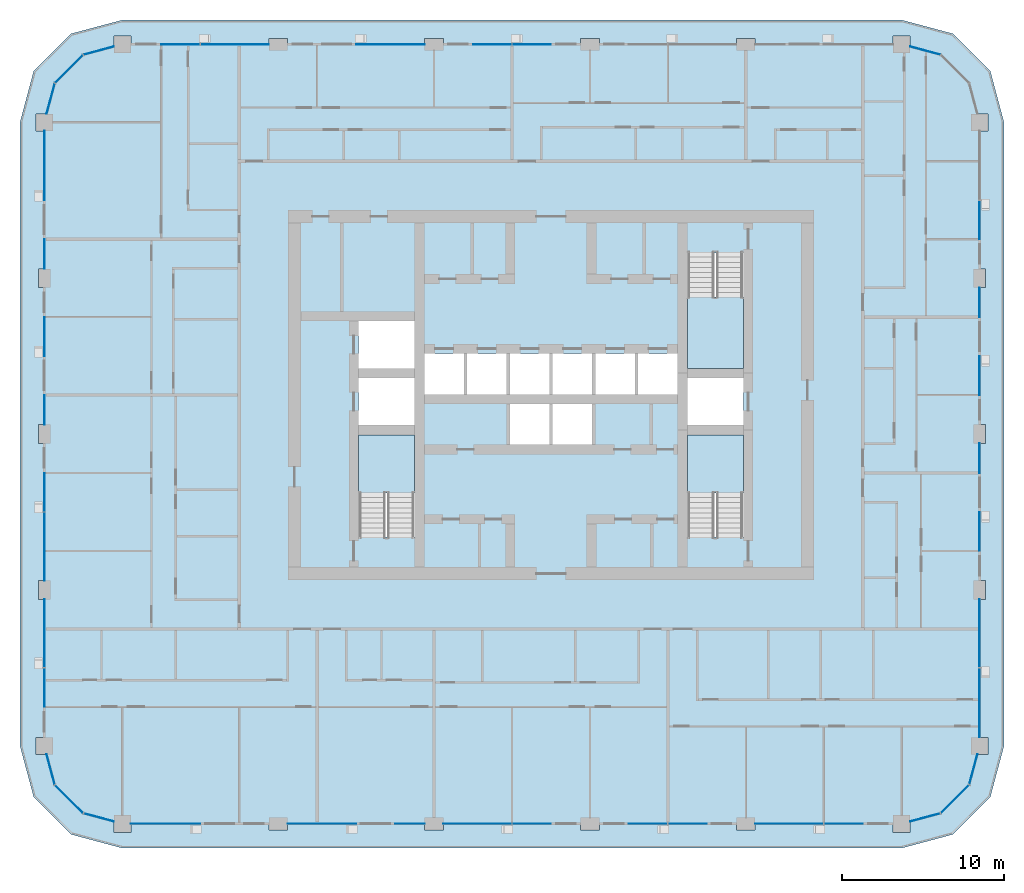
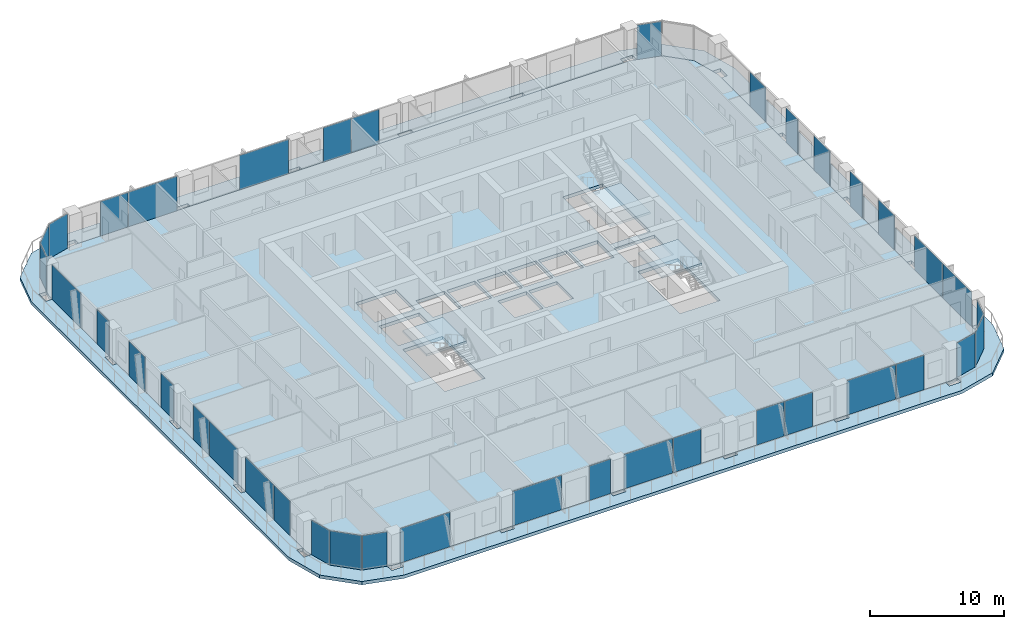
# One storey, part 7 of 22: 39 plates, 5 slabs, 23 elements without a shape of their own.
"""IFC4 building model written with IfcOpenShell, lengths in metres."""

from ifc_helpers import new_model, si_unit, direction, frame, origin, origin_2d, place, context, subcontext, project, spatial, polyline, rectangle, outline, extrude, material, layer, layer_set, type_object, element, aggregate, save


model = new_model("IFC4")

# Units and contexts
model_context = context("Model", 3, precision=1e-05, world=origin(), true_north=direction((0.0, 1.0)))
body_context = subcontext(model_context, "Body", "Model", "MODEL_VIEW")
ifc_project = project(units=[si_unit("LENGTHUNIT", "METRE"), si_unit("AREAUNIT", "SQUARE_METRE"), si_unit("VOLUMEUNIT", "CUBIC_METRE"), si_unit("PLANEANGLEUNIT", "RADIAN"), si_unit("MASSUNIT", "GRAM", prefix="KILO")], contexts=[model_context])

# Site, building, storey
site_placement = place(None, origin())
site = spatial("IfcSite", under=ifc_project, at=site_placement, CompositionType="ELEMENT")
building_placement = place(site_placement, origin())
building = spatial("IfcBuilding", under=site, at=building_placement, Name="Madar Terraces", CompositionType="ELEMENT")
storey_placement = place(building_placement, frame((0.0, 0.0, 159.5)))
storey = spatial("IfcBuildingStorey", under=building, at=storey_placement, Name="L41", CompositionType="ELEMENT", Elevation=159.5)

# Slabs
ifc_material_1 = material(Name="Concrete C50/60", Category="concrete")
ifc_layer_1 = layer(ifc_material_1, 0.300048828125)
ifc_layer_set_1 = layer_set([ifc_layer_1], Name="Balcony band 300")
slab_type_1 = type_object("IfcSlabType", Name="Balcony band 300", PredefinedType="FLOOR", material=ifc_layer_set_1)
slab_1_placement = place(storey_placement, frame((0.0, 0.0, -0.300048828125)))
element("IfcSlab", 1, at=slab_1_placement, inside=storey, type_object=slab_type_1, Name="Balcony band", PredefinedType="FLOOR", context=body_context, shape_type="SweptSolid", body=[
    extrude(outline(polyline([(4.800048828125, -1.5), (1.64990234375, -0.656005859375), (-0.656005859375, 1.64990234375), (-1.5, 4.800048828125), (-1.5, 43.199951171875), (-0.656005859375, 46.35009765625), (1.64990234375, 48.656005859375), (4.800048828125, 49.5), (52.800048828125, 49.5), (55.949951171875, 48.656005859375), (58.256103515625, 46.35009765625), (59.10009765625, 43.199951171875), (59.10009765625, 4.800048828125), (58.256103515625, 1.64990234375), (55.949951171875, -0.656005859375), (52.800048828125, -1.5), (4.800048828125, -1.5)]), holes=[polyline([(5.324951171875, -0.52490234375), (5.324951171875, 0.0), (13.824951171875, 0.0), (13.824951171875, -0.375), (14.97509765625, -0.375), (14.97509765625, 0.0), (23.425048828125, 0.0), (23.425048828125, -0.375), (24.574951171875, -0.375), (24.574951171875, 0.0), (33.02490234375, 0.0), (33.02490234375, -0.375), (34.175048828125, -0.375), (34.175048828125, 0.0), (42.625, 0.0), (42.625, -0.375), (43.77490234375, -0.375), (43.77490234375, 0.0), (52.27490234375, 0.0), (52.27490234375, -0.52490234375), (53.324951171875, -0.52490234375), (53.324951171875, 0.140625), (55.199951171875, 0.64306640625), (56.956787109375, 2.39990234375), (57.459228515625, 4.27490234375), (58.125, 4.27490234375), (58.125, 5.324951171875), (57.60009765625, 5.324951171875), (57.60009765625, 13.824951171875), (57.97509765625, 13.824951171875), (57.97509765625, 14.97509765625), (57.60009765625, 14.97509765625), (57.60009765625, 23.425048828125), (57.97509765625, 23.425048828125), (57.97509765625, 24.574951171875), (57.60009765625, 24.574951171875), (57.60009765625, 33.02490234375), (57.97509765625, 33.02490234375), (57.97509765625, 34.175048828125), (57.60009765625, 34.175048828125), (57.60009765625, 42.675048828125), (58.125, 42.675048828125), (58.125, 43.72509765625), (57.459228515625, 43.72509765625), (56.956787109375, 45.60009765625), (55.199951171875, 47.35693359375), (53.324951171875, 47.859375), (53.324951171875, 48.52490234375), (52.27490234375, 48.52490234375), (52.27490234375, 48.0), (43.77490234375, 48.0), (43.77490234375, 48.375), (42.625, 48.375), (42.625, 48.0), (34.175048828125, 48.0), (34.175048828125, 48.375), (33.02490234375, 48.375), (33.02490234375, 48.0), (24.574951171875, 48.0), (24.574951171875, 48.375), (23.425048828125, 48.375), (23.425048828125, 48.0), (14.97509765625, 48.0), (14.97509765625, 48.375), (13.824951171875, 48.375), (13.824951171875, 48.0), (5.324951171875, 48.0), (5.324951171875, 48.52490234375), (4.27490234375, 48.52490234375), (4.27490234375, 47.859375), (2.39990234375, 47.35693359375), (0.64306640625, 45.60009765625), (0.140625, 43.72509765625), (-0.52490234375, 43.72509765625), (-0.52490234375, 42.675048828125), (0.0, 42.675048828125), (0.0, 34.175048828125), (-0.375, 34.175048828125), (-0.375, 33.02490234375), (0.0, 33.02490234375), (0.0, 24.574951171875), (-0.375, 24.574951171875), (-0.375, 23.425048828125), (0.0, 23.425048828125), (0.0, 14.97509765625), (-0.375, 14.97509765625), (-0.375, 13.824951171875), (0.0, 13.824951171875), (0.0, 5.324951171875), (-0.52490234375, 5.324951171875), (-0.52490234375, 4.27490234375), (0.140625, 4.27490234375), (0.64306640625, 2.39990234375), (2.39990234375, 0.64306640625), (4.27490234375, 0.140625), (4.27490234375, -0.52490234375), (5.324951171875, -0.52490234375)])]), origin(), (0.0, 0.0, 1.0), 0.300048828125),
])
ifc_material_2 = material(Name="Concrete C50/60", Category="concrete")
ifc_layer_2 = layer(ifc_material_2, 0.300048828125)
ifc_layer_set_2 = layer_set([ifc_layer_2], Name="FS2 PT flat slab 300")
slab_type_2 = type_object("IfcSlabType", Name="FS2 PT flat slab 300", PredefinedType="FLOOR", material=ifc_layer_set_2)
slab_2_placement = place(storey_placement, frame((0.0, 0.0, -0.300048828125)))
element("IfcSlab", 2, at=slab_2_placement, inside=storey, type_object=slab_type_2, Name="Floor slab L41 (1)", PredefinedType="FLOOR", context=body_context, shape_type="SweptSolid", body=[
    extrude(outline(polyline([(52.800048828125, 0.0), (55.199951171875, 0.64306640625), (56.95703125, 2.39990234375), (57.60009765625, 4.800048828125), (57.60009765625, 43.199951171875), (56.95703125, 45.60009765625), (55.199951171875, 47.35693359375), (52.800048828125, 48.0), (4.800048828125, 48.0), (2.39990234375, 47.35693359375), (0.64306640625, 45.60009765625), (0.0, 43.199951171875), (0.0, 4.800048828125), (0.64306640625, 2.39990234375), (2.39990234375, 0.64306640625), (4.800048828125, 0.0), (52.800048828125, 0.0)]), holes=[polyline([(22.800048828125, 17.64990234375), (19.35009765625, 17.64990234375), (19.35009765625, 23.949951171875), (22.800048828125, 23.949951171875), (22.800048828125, 17.64990234375)]), polyline([(28.666748046875, 23.35009765625), (28.666748046875, 25.85009765625), (31.10009765625, 25.85009765625), (31.10009765625, 23.35009765625), (28.666748046875, 23.35009765625)]), polyline([(19.35009765625, 24.550048828125), (19.35009765625, 27.449951171875), (22.800048828125, 27.449951171875), (22.800048828125, 24.550048828125), (19.35009765625, 24.550048828125)]), polyline([(23.39990234375, 26.449951171875), (23.39990234375, 28.949951171875), (25.833251953125, 28.949951171875), (25.833251953125, 26.449951171875), (23.39990234375, 26.449951171875)]), polyline([(26.033447265625, 26.449951171875), (26.033447265625, 28.949951171875), (28.466552734375, 28.949951171875), (28.466552734375, 26.449951171875), (26.033447265625, 26.449951171875)]), polyline([(28.666748046875, 26.449951171875), (28.666748046875, 28.949951171875), (31.10009765625, 28.949951171875), (31.10009765625, 26.449951171875), (28.666748046875, 26.449951171875)]), polyline([(19.35009765625, 28.050048828125), (19.35009765625, 30.949951171875), (22.800048828125, 30.949951171875), (22.800048828125, 28.050048828125), (19.35009765625, 28.050048828125)]), polyline([(43.050048828125, 17.64990234375), (39.60009765625, 17.64990234375), (39.60009765625, 23.949951171875), (43.050048828125, 23.949951171875), (43.050048828125, 17.64990234375)]), polyline([(31.300048828125, 23.35009765625), (31.300048828125, 25.85009765625), (33.7333984375, 25.85009765625), (33.7333984375, 23.35009765625), (31.300048828125, 23.35009765625)]), polyline([(39.60009765625, 24.550048828125), (39.60009765625, 27.449951171875), (43.050048828125, 27.449951171875), (43.050048828125, 24.550048828125), (39.60009765625, 24.550048828125)]), polyline([(31.300048828125, 26.449951171875), (31.300048828125, 28.949951171875), (33.7333984375, 28.949951171875), (33.7333984375, 26.449951171875), (31.300048828125, 26.449951171875)]), polyline([(33.933349609375, 26.449951171875), (33.933349609375, 28.949951171875), (36.36669921875, 28.949951171875), (36.36669921875, 26.449951171875), (33.933349609375, 26.449951171875)]), polyline([(36.566650390625, 26.449951171875), (36.566650390625, 28.949951171875), (39.0, 28.949951171875), (39.0, 26.449951171875), (36.566650390625, 26.449951171875)]), polyline([(39.60009765625, 28.050048828125), (39.60009765625, 35.14990234375), (43.050048828125, 35.14990234375), (43.050048828125, 28.050048828125), (39.60009765625, 28.050048828125)])]), origin(), (0.0, 0.0, 1.0), 0.300048828125),
])

# Curtain wall, plate
ifc_material_3 = material(Name="Glass, ceramic frit dark grey, with black aluminium frame", Category="aluminium")
ifc_layer_3 = layer(ifc_material_3, 0.199951171875)
ifc_layer_set_3 = layer_set([ifc_layer_3], Name="Facade curtain wall, fritted glass")
curtain_wall_type = type_object("IfcCurtainWallType", Name="Facade curtain wall, fritted glass", PredefinedType="NOTDEFINED", material=ifc_layer_set_3)
curtain_wall_1_placement = place(storey_placement, origin())
curtain_wall_1 = element("IfcCurtainWall", 3, at=curtain_wall_1_placement, inside=storey, type_object=curtain_wall_type, Name="Outer skin curtain wall south bay 1", PredefinedType="NOTDEFINED")
ifc_material_4 = material(Name="Glass, ceramic frit dark grey", Category="glass")
ifc_layer_4 = layer(ifc_material_4, 0.028076171875)
ifc_layer_set_4 = layer_set([ifc_layer_4], Name="Facade glass panel 28")
plate_type = type_object("IfcPlateType", Name="Facade glass panel 28", PredefinedType="CURTAIN_PANEL", material=ifc_layer_set_4)
plate_1_placement = place(storey_placement, frame((7.46240234375, 0.0, 0.0), z_axis=(0.0, 0.0, 1.0), x_axis=(1.0, 0.0, 0.0)))
plate_1 = element("IfcPlate", 4, at=plate_1_placement, type_object=plate_type, Name="Panel 1", PredefinedType="CURTAIN_PANEL", context=body_context, shape_type="SweptSolid", body=[
    extrude(rectangle(XDim=4.27490234375, YDim=0.028076171875, at=origin_2d()), origin(), (0.0, 0.0, 1.0), 3.139892578125),
])
aggregate(curtain_wall_1, [plate_1])

# Curtain wall, plates
curtain_wall_2_placement = place(storey_placement, origin())
curtain_wall_2 = element("IfcCurtainWall", 5, at=curtain_wall_2_placement, inside=storey, type_object=curtain_wall_type, Name="Outer skin curtain wall south bay 2", PredefinedType="NOTDEFINED")
plate_2_placement = place(storey_placement, frame((17.08740234375, 0.0, 0.0), z_axis=(0.0, 0.0, 1.0), x_axis=(1.0, 0.0, 0.0)))
plate_2 = element("IfcPlate", 6, at=plate_2_placement, type_object=plate_type, Name="Panel 1", PredefinedType="CURTAIN_PANEL", context=body_context, shape_type="SweptSolid", body=[
    extrude(rectangle(XDim=4.22509765625, YDim=0.028076171875, at=origin_2d()), origin(), (0.0, 0.0, 1.0), 3.139892578125),
])
plate_3_placement = place(storey_placement, frame((22.512451171875, 0.0, 0.0), z_axis=(0.0, 0.0, 1.0), x_axis=(1.0, 0.0, 0.0)))
plate_3 = element("IfcPlate", 7, at=plate_3_placement, type_object=plate_type, Name="Panel 2", PredefinedType="CURTAIN_PANEL", context=body_context, shape_type="SweptSolid", body=[
    extrude(rectangle(XDim=1.824951171875, YDim=0.028076171875, at=origin_2d()), origin(), (0.0, 0.0, 1.0), 3.139892578125),
])
aggregate(curtain_wall_2, [plate_2, plate_3])

curtain_wall_3_placement = place(storey_placement, origin())
curtain_wall_3 = element("IfcCurtainWall", 8, at=curtain_wall_3_placement, inside=storey, type_object=curtain_wall_type, Name="Outer skin curtain wall south bay 3", PredefinedType="NOTDEFINED")
plate_4_placement = place(storey_placement, frame((26.672607421875, 0.0, 0.0), z_axis=(0.0, 0.0, 1.0), x_axis=(1.0, 0.0, 0.0)))
plate_4 = element("IfcPlate", 9, at=plate_4_placement, type_object=plate_type, Name="Panel 1", PredefinedType="CURTAIN_PANEL", context=body_context, shape_type="SweptSolid", body=[
    extrude(rectangle(XDim=4.195068359375, YDim=0.028076171875, at=origin_2d()), origin(), (0.0, 0.0, 1.0), 3.139892578125),
])
plate_5_placement = place(storey_placement, frame((30.014892578125, 0.0, 0.0), z_axis=(0.0, 0.0, 1.0), x_axis=(1.0, 0.0, 0.0)))
plate_5 = element("IfcPlate", 10, at=plate_5_placement, type_object=plate_type, Name="Panel 2", PredefinedType="CURTAIN_PANEL", context=body_context, shape_type="SweptSolid", body=[
    extrude(rectangle(XDim=2.3701171875, YDim=0.028076171875, at=origin_2d()), origin(), (0.0, 0.0, 1.0), 3.139892578125),
])
aggregate(curtain_wall_3, [plate_4, plate_5])

curtain_wall_4_placement = place(storey_placement, origin())
curtain_wall_4 = element("IfcCurtainWall", 11, at=curtain_wall_4_placement, inside=storey, type_object=curtain_wall_type, Name="Outer skin curtain wall south bay 4", PredefinedType="NOTDEFINED")
plate_6_placement = place(storey_placement, frame((37.18505859375, 0.0, 0.0), z_axis=(0.0, 0.0, 1.0), x_axis=(1.0, 0.0, 0.0)))
plate_6 = element("IfcPlate", 12, at=plate_6_placement, type_object=plate_type, Name="Panel 1", PredefinedType="CURTAIN_PANEL", context=body_context, shape_type="SweptSolid", body=[
    extrude(rectangle(XDim=2.3701171875, YDim=0.028076171875, at=origin_2d()), origin(), (0.0, 0.0, 1.0), 3.139892578125),
])
plate_7_placement = place(storey_placement, frame((39.614990234375, 0.0, 0.0), z_axis=(0.0, 0.0, 1.0), x_axis=(1.0, 0.0, 0.0)))
plate_7 = element("IfcPlate", 13, at=plate_7_placement, type_object=plate_type, Name="Panel 2", PredefinedType="CURTAIN_PANEL", context=body_context, shape_type="SweptSolid", body=[
    extrude(rectangle(XDim=2.3701171875, YDim=0.028076171875, at=origin_2d()), origin(), (0.0, 0.0, 1.0), 3.139892578125),
])
aggregate(curtain_wall_4, [plate_6, plate_7])

curtain_wall_5_placement = place(storey_placement, origin())
curtain_wall_5 = element("IfcCurtainWall", 14, at=curtain_wall_5_placement, inside=storey, type_object=curtain_wall_type, Name="Outer skin curtain wall south bay 5", PredefinedType="NOTDEFINED")
plate_8_placement = place(storey_placement, frame((45.87255859375, 0.0, 0.0), z_axis=(0.0, 0.0, 1.0), x_axis=(1.0, 0.0, 0.0)))
plate_8 = element("IfcPlate", 15, at=plate_8_placement, type_object=plate_type, Name="Panel 1", PredefinedType="CURTAIN_PANEL", context=body_context, shape_type="SweptSolid", body=[
    extrude(rectangle(XDim=4.195068359375, YDim=0.028076171875, at=origin_2d()), origin(), (0.0, 0.0, 1.0), 3.139892578125),
])
plate_9_placement = place(storey_placement, frame((49.215087890625, 0.0, 0.0), z_axis=(0.0, 0.0, 1.0), x_axis=(1.0, 0.0, 0.0)))
plate_9 = element("IfcPlate", 16, at=plate_9_placement, type_object=plate_type, Name="Panel 2", PredefinedType="CURTAIN_PANEL", context=body_context, shape_type="SweptSolid", body=[
    extrude(rectangle(XDim=2.3701171875, YDim=0.028076171875, at=origin_2d()), origin(), (0.0, 0.0, 1.0), 3.139892578125),
])
aggregate(curtain_wall_5, [plate_8, plate_9])

curtain_wall_6_placement = place(storey_placement, origin())
curtain_wall_6 = element("IfcCurtainWall", 17, at=curtain_wall_6_placement, inside=storey, type_object=curtain_wall_type, Name="Outer skin curtain wall east bay 1", PredefinedType="NOTDEFINED")
plate_10_placement = place(storey_placement, frame((57.60009765625, 7.447509765625, 0.0), z_axis=(0.0, 0.0, 1.0), x_axis=(0.0, 1.0, 0.0)))
plate_10 = element("IfcPlate", 18, at=plate_10_placement, type_object=plate_type, Name="Panel 1", PredefinedType="CURTAIN_PANEL", context=body_context, shape_type="SweptSolid", body=[
    extrude(rectangle(XDim=4.2451171875, YDim=0.028076171875, at=origin_2d()), origin(), (0.0, 0.0, 1.0), 3.139892578125),
])
plate_11_placement = place(storey_placement, frame((57.60009765625, 11.7275390625, 0.0), z_axis=(0.0, 0.0, 1.0), x_axis=(0.0, 1.0, 0.0)))
plate_11 = element("IfcPlate", 19, at=plate_11_placement, type_object=plate_type, Name="Panel 2", PredefinedType="CURTAIN_PANEL", context=body_context, shape_type="SweptSolid", body=[
    extrude(rectangle(XDim=4.195068359375, YDim=0.028076171875, at=origin_2d()), origin(), (0.0, 0.0, 1.0), 3.139892578125),
])
aggregate(curtain_wall_6, [plate_10, plate_11])

curtain_wall_7_placement = place(storey_placement, origin())
curtain_wall_7 = element("IfcCurtainWall", 20, at=curtain_wall_7_placement, inside=storey, type_object=curtain_wall_type, Name="Outer skin curtain wall east bay 2", PredefinedType="NOTDEFINED")
plate_12_placement = place(storey_placement, frame((57.60009765625, 18.0, 0.0), z_axis=(0.0, 0.0, 1.0), x_axis=(0.0, 1.0, 0.0)))
plate_12 = element("IfcPlate", 21, at=plate_12_placement, type_object=plate_type, Name="Panel 1", PredefinedType="CURTAIN_PANEL", context=body_context, shape_type="SweptSolid", body=[
    extrude(rectangle(XDim=2.39990234375, YDim=0.028076171875, at=origin_2d()), origin(), (0.0, 0.0, 1.0), 3.139892578125),
])
plate_13_placement = place(storey_placement, frame((57.60009765625, 22.512451171875, 0.0), z_axis=(0.0, 0.0, 1.0), x_axis=(0.0, 1.0, 0.0)))
plate_13 = element("IfcPlate", 22, at=plate_13_placement, type_object=plate_type, Name="Panel 2", PredefinedType="CURTAIN_PANEL", context=body_context, shape_type="SweptSolid", body=[
    extrude(rectangle(XDim=1.824951171875, YDim=0.028076171875, at=origin_2d()), origin(), (0.0, 0.0, 1.0), 3.139892578125),
])
aggregate(curtain_wall_7, [plate_12, plate_13])

curtain_wall_8_placement = place(storey_placement, origin())
curtain_wall_8 = element("IfcCurtainWall", 23, at=curtain_wall_8_placement, inside=storey, type_object=curtain_wall_type, Name="Outer skin curtain wall east bay 3", PredefinedType="NOTDEFINED")
plate_14_placement = place(storey_placement, frame((57.60009765625, 27.60009765625, 0.0), z_axis=(0.0, 0.0, 1.0), x_axis=(0.0, 1.0, 0.0)))
plate_14 = element("IfcPlate", 24, at=plate_14_placement, type_object=plate_type, Name="Panel 1", PredefinedType="CURTAIN_PANEL", context=body_context, shape_type="SweptSolid", body=[
    extrude(rectangle(XDim=2.39990234375, YDim=0.028076171875, at=origin_2d()), origin(), (0.0, 0.0, 1.0), 3.139892578125),
])
plate_15_placement = place(storey_placement, frame((57.60009765625, 32.112548828125, 0.0), z_axis=(0.0, 0.0, 1.0), x_axis=(0.0, 1.0, 0.0)))
plate_15 = element("IfcPlate", 25, at=plate_15_placement, type_object=plate_type, Name="Panel 2", PredefinedType="CURTAIN_PANEL", context=body_context, shape_type="SweptSolid", body=[
    extrude(rectangle(XDim=1.824951171875, YDim=0.028076171875, at=origin_2d()), origin(), (0.0, 0.0, 1.0), 3.139892578125),
])
aggregate(curtain_wall_8, [plate_14, plate_15])

# Curtain wall, plate
curtain_wall_9_placement = place(storey_placement, origin())
curtain_wall_9 = element("IfcCurtainWall", 26, at=curtain_wall_9_placement, inside=storey, type_object=curtain_wall_type, Name="Outer skin curtain wall east bay 4", PredefinedType="NOTDEFINED")
plate_16_placement = place(storey_placement, frame((57.60009765625, 37.18505859375, 0.0), z_axis=(0.0, 0.0, 1.0), x_axis=(0.0, 1.0, 0.0)))
plate_16 = element("IfcPlate", 27, at=plate_16_placement, type_object=plate_type, Name="Panel 1", PredefinedType="CURTAIN_PANEL", context=body_context, shape_type="SweptSolid", body=[
    extrude(rectangle(XDim=2.3701171875, YDim=0.028076171875, at=origin_2d()), origin(), (0.0, 0.0, 1.0), 3.139892578125),
])
aggregate(curtain_wall_9, [plate_16])

# Curtain wall, plates
curtain_wall_10_placement = place(storey_placement, origin())
curtain_wall_10 = element("IfcCurtainWall", 28, at=curtain_wall_10_placement, inside=storey, type_object=curtain_wall_type, Name="Outer skin curtain wall north bay 3", PredefinedType="NOTDEFINED")
plate_17_placement = place(storey_placement, frame((30.014892578125, 48.0, 0.0), z_axis=(0.0, 0.0, 1.0), x_axis=(-1.0, 0.0, 0.0)))
plate_17 = element("IfcPlate", 29, at=plate_17_placement, type_object=plate_type, Name="Panel 1", PredefinedType="CURTAIN_PANEL", context=body_context, shape_type="SweptSolid", body=[
    extrude(rectangle(XDim=2.3701171875, YDim=0.028076171875, at=origin_2d()), origin(), (0.0, 0.0, 1.0), 3.139892578125),
])
plate_18_placement = place(storey_placement, frame((27.5849609375, 48.0, 0.0), z_axis=(0.0, 0.0, 1.0), x_axis=(-1.0, 0.0, 0.0)))
plate_18 = element("IfcPlate", 30, at=plate_18_placement, type_object=plate_type, Name="Panel 2", PredefinedType="CURTAIN_PANEL", context=body_context, shape_type="SweptSolid", body=[
    extrude(rectangle(XDim=2.3701171875, YDim=0.028076171875, at=origin_2d()), origin(), (0.0, 0.0, 1.0), 3.139892578125),
])
aggregate(curtain_wall_10, [plate_17, plate_18])

# Curtain wall, plate
curtain_wall_11_placement = place(storey_placement, origin())
curtain_wall_11 = element("IfcCurtainWall", 31, at=curtain_wall_11_placement, inside=storey, type_object=curtain_wall_type, Name="Outer skin curtain wall north bay 4", PredefinedType="NOTDEFINED")
plate_19_placement = place(storey_placement, frame((21.3125, 48.0, 0.0), z_axis=(0.0, 0.0, 1.0), x_axis=(-1.0, 0.0, 0.0)))
plate_19 = element("IfcPlate", 32, at=plate_19_placement, type_object=plate_type, Name="Panel 1", PredefinedType="CURTAIN_PANEL", context=body_context, shape_type="SweptSolid", body=[
    extrude(rectangle(XDim=4.22509765625, YDim=0.028076171875, at=origin_2d()), origin(), (0.0, 0.0, 1.0), 3.139892578125),
])
aggregate(curtain_wall_11, [plate_19])

# Curtain wall, plates
curtain_wall_12_placement = place(storey_placement, origin())
curtain_wall_12 = element("IfcCurtainWall", 33, at=curtain_wall_12_placement, inside=storey, type_object=curtain_wall_type, Name="Outer skin curtain wall north bay 5", PredefinedType="NOTDEFINED")
plate_20_placement = place(storey_placement, frame((11.7275390625, 48.0, 0.0), z_axis=(0.0, 0.0, 1.0), x_axis=(-1.0, 0.0, 0.0)))
plate_20 = element("IfcPlate", 34, at=plate_20_placement, type_object=plate_type, Name="Panel 1", PredefinedType="CURTAIN_PANEL", context=body_context, shape_type="SweptSolid", body=[
    extrude(rectangle(XDim=4.195068359375, YDim=0.028076171875, at=origin_2d()), origin(), (0.0, 0.0, 1.0), 3.139892578125),
])
plate_21_placement = place(storey_placement, frame((8.385009765625, 48.0, 0.0), z_axis=(0.0, 0.0, 1.0), x_axis=(-1.0, 0.0, 0.0)))
plate_21 = element("IfcPlate", 35, at=plate_21_placement, type_object=plate_type, Name="Panel 2", PredefinedType="CURTAIN_PANEL", context=body_context, shape_type="SweptSolid", body=[
    extrude(rectangle(XDim=2.3701171875, YDim=0.028076171875, at=origin_2d()), origin(), (0.0, 0.0, 1.0), 3.139892578125),
])
aggregate(curtain_wall_12, [plate_20, plate_21])

curtain_wall_13_placement = place(storey_placement, origin())
curtain_wall_13 = element("IfcCurtainWall", 36, at=curtain_wall_13_placement, inside=storey, type_object=curtain_wall_type, Name="Outer skin curtain wall west bay 1", PredefinedType="NOTDEFINED")
plate_22_placement = place(storey_placement, frame((0.0, 40.53759765625, 0.0), z_axis=(0.0, 0.0, 1.0), x_axis=(0.0, -1.0, 0.0)))
plate_22 = element("IfcPlate", 37, at=plate_22_placement, type_object=plate_type, Name="Panel 1", PredefinedType="CURTAIN_PANEL", context=body_context, shape_type="SweptSolid", body=[
    extrude(rectangle(XDim=4.27490234375, YDim=0.028076171875, at=origin_2d()), origin(), (0.0, 0.0, 1.0), 3.139892578125),
])
plate_23_placement = place(storey_placement, frame((0.0, 35.08740234375, 0.0), z_axis=(0.0, 0.0, 1.0), x_axis=(0.0, -1.0, 0.0)))
plate_23 = element("IfcPlate", 38, at=plate_23_placement, type_object=plate_type, Name="Panel 2", PredefinedType="CURTAIN_PANEL", context=body_context, shape_type="SweptSolid", body=[
    extrude(rectangle(XDim=1.824951171875, YDim=0.028076171875, at=origin_2d()), origin(), (0.0, 0.0, 1.0), 3.139892578125),
])
aggregate(curtain_wall_13, [plate_22, plate_23])

curtain_wall_14_placement = place(storey_placement, origin())
curtain_wall_14 = element("IfcCurtainWall", 39, at=curtain_wall_14_placement, inside=storey, type_object=curtain_wall_type, Name="Outer skin curtain wall west bay 2", PredefinedType="NOTDEFINED")
plate_24_placement = place(storey_placement, frame((0.0, 30.0, 0.0), z_axis=(0.0, 0.0, 1.0), x_axis=(0.0, -1.0, 0.0)))
plate_24 = element("IfcPlate", 40, at=plate_24_placement, type_object=plate_type, Name="Panel 1", PredefinedType="CURTAIN_PANEL", context=body_context, shape_type="SweptSolid", body=[
    extrude(rectangle(XDim=2.39990234375, YDim=0.028076171875, at=origin_2d()), origin(), (0.0, 0.0, 1.0), 3.139892578125),
])
plate_25_placement = place(storey_placement, frame((0.0, 25.487548828125, 0.0), z_axis=(0.0, 0.0, 1.0), x_axis=(0.0, -1.0, 0.0)))
plate_25 = element("IfcPlate", 41, at=plate_25_placement, type_object=plate_type, Name="Panel 2", PredefinedType="CURTAIN_PANEL", context=body_context, shape_type="SweptSolid", body=[
    extrude(rectangle(XDim=1.824951171875, YDim=0.028076171875, at=origin_2d()), origin(), (0.0, 0.0, 1.0), 3.139892578125),
])
aggregate(curtain_wall_14, [plate_24, plate_25])

curtain_wall_15_placement = place(storey_placement, origin())
curtain_wall_15 = element("IfcCurtainWall", 42, at=curtain_wall_15_placement, inside=storey, type_object=curtain_wall_type, Name="Outer skin curtain wall west bay 3", PredefinedType="NOTDEFINED")
plate_26_placement = place(storey_placement, frame((0.0, 20.4150390625, 0.0), z_axis=(0.0, 0.0, 1.0), x_axis=(0.0, -1.0, 0.0)))
plate_26 = element("IfcPlate", 43, at=plate_26_placement, type_object=plate_type, Name="Panel 1", PredefinedType="CURTAIN_PANEL", context=body_context, shape_type="SweptSolid", body=[
    extrude(rectangle(XDim=2.3701171875, YDim=0.028076171875, at=origin_2d()), origin(), (0.0, 0.0, 1.0), 3.139892578125),
])
plate_27_placement = place(storey_placement, frame((0.0, 17.072509765625, 0.0), z_axis=(0.0, 0.0, 1.0), x_axis=(0.0, -1.0, 0.0)))
plate_27 = element("IfcPlate", 44, at=plate_27_placement, type_object=plate_type, Name="Panel 2", PredefinedType="CURTAIN_PANEL", context=body_context, shape_type="SweptSolid", body=[
    extrude(rectangle(XDim=4.195068359375, YDim=0.028076171875, at=origin_2d()), origin(), (0.0, 0.0, 1.0), 3.139892578125),
])
aggregate(curtain_wall_15, [plate_26, plate_27])

curtain_wall_16_placement = place(storey_placement, origin())
curtain_wall_16 = element("IfcCurtainWall", 45, at=curtain_wall_16_placement, inside=storey, type_object=curtain_wall_type, Name="Outer skin curtain wall west bay 4", PredefinedType="NOTDEFINED")
plate_28_placement = place(storey_placement, frame((0.0, 11.7275390625, 0.0), z_axis=(0.0, 0.0, 1.0), x_axis=(0.0, -1.0, 0.0)))
plate_28 = element("IfcPlate", 46, at=plate_28_placement, type_object=plate_type, Name="Panel 1", PredefinedType="CURTAIN_PANEL", context=body_context, shape_type="SweptSolid", body=[
    extrude(rectangle(XDim=4.195068359375, YDim=0.028076171875, at=origin_2d()), origin(), (0.0, 0.0, 1.0), 3.139892578125),
])
plate_29_placement = place(storey_placement, frame((0.0, 8.385009765625, 0.0), z_axis=(0.0, 0.0, 1.0), x_axis=(0.0, -1.0, 0.0)))
plate_29 = element("IfcPlate", 47, at=plate_29_placement, type_object=plate_type, Name="Panel 2", PredefinedType="CURTAIN_PANEL", context=body_context, shape_type="SweptSolid", body=[
    extrude(rectangle(XDim=2.3701171875, YDim=0.028076171875, at=origin_2d()), origin(), (0.0, 0.0, 1.0), 3.139892578125),
])
aggregate(curtain_wall_16, [plate_28, plate_29])

curtain_wall_17_placement = place(storey_placement, origin())
curtain_wall_17 = element("IfcCurtainWall", 48, at=curtain_wall_17_placement, inside=storey, type_object=curtain_wall_type, Name="Outer skin curtain wall south-east corner", PredefinedType="NOTDEFINED")
plate_30_placement = place(storey_placement, frame((54.248046875, 0.387939453125, 0.0), z_axis=(0.0, 0.0, 1.0), x_axis=(0.965925832509, 0.258819021888, 0.0)))
plate_30 = element("IfcPlate", 49, at=plate_30_placement, type_object=plate_type, Name="Panel 1", PredefinedType="CURTAIN_PANEL", context=body_context, shape_type="SweptSolid", body=[
    extrude(rectangle(XDim=1.9111328125, YDim=0.028076171875, at=origin_2d()), origin(), (0.0, 0.0, 1.0), 3.139892578125),
])
plate_31_placement = place(storey_placement, frame((56.078369140625, 1.521484375, 0.0), z_axis=(0.0, 0.0, 1.0), x_axis=(0.707106781187, 0.707106781187, 0.0)))
plate_31 = element("IfcPlate", 50, at=plate_31_placement, type_object=plate_type, Name="Panel 2", PredefinedType="CURTAIN_PANEL", context=body_context, shape_type="SweptSolid", body=[
    extrude(rectangle(XDim=2.424560546875, YDim=0.028076171875, at=origin_2d()), origin(), (0.0, 0.0, 1.0), 3.139892578125),
])
plate_32_placement = place(storey_placement, frame((57.2119140625, 3.35205078125, 0.0), z_axis=(0.0, 0.0, 1.0), x_axis=(0.258819021888, 0.965925832509, 0.0)))
plate_32 = element("IfcPlate", 51, at=plate_32_placement, type_object=plate_type, Name="Panel 3", PredefinedType="CURTAIN_PANEL", context=body_context, shape_type="SweptSolid", body=[
    extrude(rectangle(XDim=1.9111328125, YDim=0.028076171875, at=origin_2d()), origin(), (0.0, 0.0, 1.0), 3.139892578125),
])
aggregate(curtain_wall_17, [plate_30, plate_31, plate_32])

# Curtain wall, plate
curtain_wall_18_placement = place(storey_placement, origin())
curtain_wall_18 = element("IfcCurtainWall", 52, at=curtain_wall_18_placement, inside=storey, type_object=curtain_wall_type, Name="Outer skin curtain wall north-east corner", PredefinedType="NOTDEFINED")
plate_33_placement = place(storey_placement, frame((54.248046875, 47.612060546875, 0.0), z_axis=(0.0, 0.0, 1.0), x_axis=(-0.965925832509, 0.258819021888, 0.0)))
plate_33 = element("IfcPlate", 53, at=plate_33_placement, type_object=plate_type, Name="Panel 3", PredefinedType="CURTAIN_PANEL", context=body_context, shape_type="SweptSolid", body=[
    extrude(rectangle(XDim=1.9111328125, YDim=0.028076171875, at=origin_2d()), origin(), (0.0, 0.0, 1.0), 3.139892578125),
])
aggregate(curtain_wall_18, [plate_33])

# Curtain wall, plates
curtain_wall_19_placement = place(storey_placement, origin())
curtain_wall_19 = element("IfcCurtainWall", 54, at=curtain_wall_19_placement, inside=storey, type_object=curtain_wall_type, Name="Outer skin curtain wall north-west corner", PredefinedType="NOTDEFINED")
plate_34_placement = place(storey_placement, frame((3.35205078125, 47.612060546875, 0.0), z_axis=(0.0, 0.0, 1.0), x_axis=(-0.965925832509, -0.258819021888, 0.0)))
plate_34 = element("IfcPlate", 55, at=plate_34_placement, type_object=plate_type, Name="Panel 1", PredefinedType="CURTAIN_PANEL", context=body_context, shape_type="SweptSolid", body=[
    extrude(rectangle(XDim=1.9111328125, YDim=0.028076171875, at=origin_2d()), origin(), (0.0, 0.0, 1.0), 3.139892578125),
])
plate_35_placement = place(storey_placement, frame((1.521484375, 46.478515625, 0.0), z_axis=(0.0, 0.0, 1.0), x_axis=(-0.707106781187, -0.707106781187, 0.0)))
plate_35 = element("IfcPlate", 56, at=plate_35_placement, type_object=plate_type, Name="Panel 2", PredefinedType="CURTAIN_PANEL", context=body_context, shape_type="SweptSolid", body=[
    extrude(rectangle(XDim=2.424560546875, YDim=0.028076171875, at=origin_2d()), origin(), (0.0, 0.0, 1.0), 3.139892578125),
])
plate_36_placement = place(storey_placement, frame((0.387939453125, 44.64794921875, 0.0), z_axis=(0.0, 0.0, 1.0), x_axis=(-0.258819021888, -0.965925832509, 0.0)))
plate_36 = element("IfcPlate", 57, at=plate_36_placement, type_object=plate_type, Name="Panel 3", PredefinedType="CURTAIN_PANEL", context=body_context, shape_type="SweptSolid", body=[
    extrude(rectangle(XDim=1.9111328125, YDim=0.028076171875, at=origin_2d()), origin(), (0.0, 0.0, 1.0), 3.139892578125),
])
aggregate(curtain_wall_19, [plate_34, plate_35, plate_36])

curtain_wall_20_placement = place(storey_placement, origin())
curtain_wall_20 = element("IfcCurtainWall", 58, at=curtain_wall_20_placement, inside=storey, type_object=curtain_wall_type, Name="Outer skin curtain wall south-west corner", PredefinedType="NOTDEFINED")
plate_37_placement = place(storey_placement, frame((0.387939453125, 3.35205078125, 0.0), z_axis=(0.0, 0.0, 1.0), x_axis=(0.258819021888, -0.965925832509, 0.0)))
plate_37 = element("IfcPlate", 59, at=plate_37_placement, type_object=plate_type, Name="Panel 1", PredefinedType="CURTAIN_PANEL", context=body_context, shape_type="SweptSolid", body=[
    extrude(rectangle(XDim=1.9111328125, YDim=0.028076171875, at=origin_2d()), origin(), (0.0, 0.0, 1.0), 3.139892578125),
])
plate_38_placement = place(storey_placement, frame((1.521484375, 1.521484375, 0.0), z_axis=(0.0, 0.0, 1.0), x_axis=(0.707106781187, -0.707106781187, 0.0)))
plate_38 = element("IfcPlate", 60, at=plate_38_placement, type_object=plate_type, Name="Panel 2", PredefinedType="CURTAIN_PANEL", context=body_context, shape_type="SweptSolid", body=[
    extrude(rectangle(XDim=2.424560546875, YDim=0.028076171875, at=origin_2d()), origin(), (0.0, 0.0, 1.0), 3.139892578125),
])
plate_39_placement = place(storey_placement, frame((3.35205078125, 0.387939453125, 0.0), z_axis=(0.0, 0.0, 1.0), x_axis=(0.965925832509, -0.258819021888, 0.0)))
plate_39 = element("IfcPlate", 61, at=plate_39_placement, type_object=plate_type, Name="Panel 3", PredefinedType="CURTAIN_PANEL", context=body_context, shape_type="SweptSolid", body=[
    extrude(rectangle(XDim=1.9111328125, YDim=0.028076171875, at=origin_2d()), origin(), (0.0, 0.0, 1.0), 3.139892578125),
])
aggregate(curtain_wall_20, [plate_37, plate_38, plate_39])

# Stair, slab
ifc_material_5 = material(Name="Concrete C50/60", Category="concrete")
stair_type_1 = type_object("IfcStairType", Name="Stair ST1 protected exit", PredefinedType="HALF_TURN_STAIR", material=ifc_material_5)
stair_1_placement = place(storey_placement, origin())
stair_1 = element("IfcStair", 62, at=stair_1_placement, inside=storey, type_object=stair_type_1, Name="L41 Protected Exit Stair ST1", PredefinedType="HALF_TURN_STAIR")
ifc_material_6 = material(Name="Concrete C50/60", Category="concrete")
ifc_layer_5 = layer(ifc_material_6, 0.199951171875)
ifc_layer_set_5 = layer_set([ifc_layer_5], Name="Stair landing 200, top +1.75")
slab_type_3 = type_object("IfcSlabType", Name="Stair landing 200, top +1.75", PredefinedType="LANDING", material=ifc_layer_set_5)
slab_3_placement = place(storey_placement, frame((0.0, 0.0, 1.550048828125)))
slab_3 = element("IfcSlab", 63, at=slab_3_placement, type_object=slab_type_3, Name="ST1 landing 1", PredefinedType="LANDING", context=body_context, shape_type="SweptSolid", body=[
    extrude(outline(polyline([(19.35009765625, 20.360107421875), (22.800048828125, 20.360107421875), (22.800048828125, 23.949951171875), (19.35009765625, 23.949951171875), (19.35009765625, 20.360107421875)])), origin(), (0.0, 0.0, 1.0), 0.199951171875),
])
aggregate(stair_1, [slab_3])

ifc_material_7 = material(Name="Concrete C50/60", Category="concrete")
stair_type_2 = type_object("IfcStairType", Name="Stair ST2 protected exit", PredefinedType="HALF_TURN_STAIR", material=ifc_material_7)
stair_2_placement = place(storey_placement, origin())
stair_2 = element("IfcStair", 64, at=stair_2_placement, inside=storey, type_object=stair_type_2, Name="L41 Protected Exit Stair ST2", PredefinedType="HALF_TURN_STAIR")
slab_4_placement = place(storey_placement, frame((0.0, 0.0, 1.550048828125)))
slab_4 = element("IfcSlab", 65, at=slab_4_placement, type_object=slab_type_3, Name="ST2 landing 1", PredefinedType="LANDING", context=body_context, shape_type="SweptSolid", body=[
    extrude(outline(polyline([(39.60009765625, 28.050048828125), (43.050048828125, 28.050048828125), (43.050048828125, 32.43994140625), (39.60009765625, 32.43994140625), (39.60009765625, 28.050048828125)])), origin(), (0.0, 0.0, 1.0), 0.199951171875),
])
aggregate(stair_2, [slab_4])

ifc_material_8 = material(Name="Concrete C50/60", Category="concrete")
stair_type_3 = type_object("IfcStairType", Name="Stair ST3 protected exit", PredefinedType="HALF_TURN_STAIR", material=ifc_material_8)
stair_3_placement = place(storey_placement, origin())
stair_3 = element("IfcStair", 66, at=stair_3_placement, inside=storey, type_object=stair_type_3, Name="L41 Protected Exit Stair ST3", PredefinedType="HALF_TURN_STAIR")
slab_5_placement = place(storey_placement, frame((0.0, 0.0, 1.550048828125)))
slab_5 = element("IfcSlab", 67, at=slab_5_placement, type_object=slab_type_3, Name="ST3 landing 1", PredefinedType="LANDING", context=body_context, shape_type="SweptSolid", body=[
    extrude(outline(polyline([(39.60009765625, 20.360107421875), (43.050048828125, 20.360107421875), (43.050048828125, 23.949951171875), (39.60009765625, 23.949951171875), (39.60009765625, 20.360107421875)])), origin(), (0.0, 0.0, 1.0), 0.199951171875),
])
aggregate(stair_3, [slab_5])

save(model, "model.ifc")
